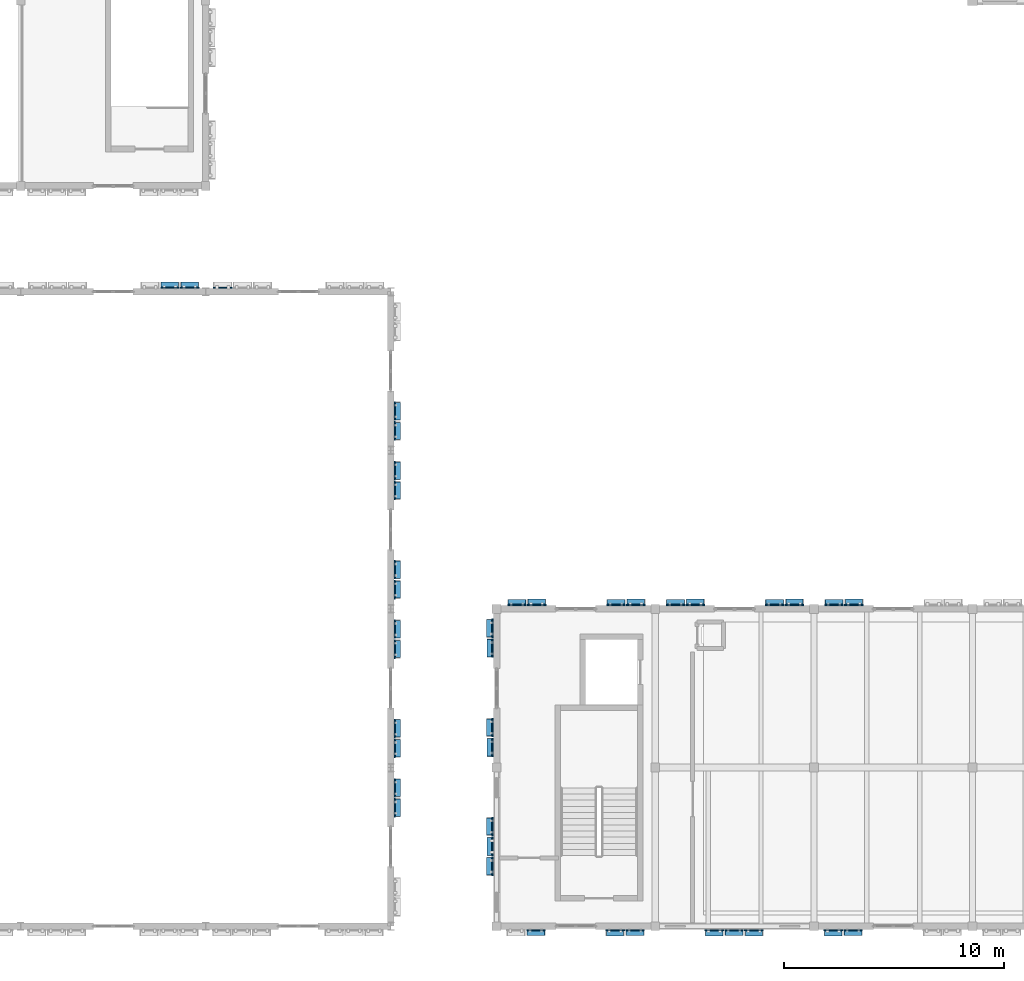
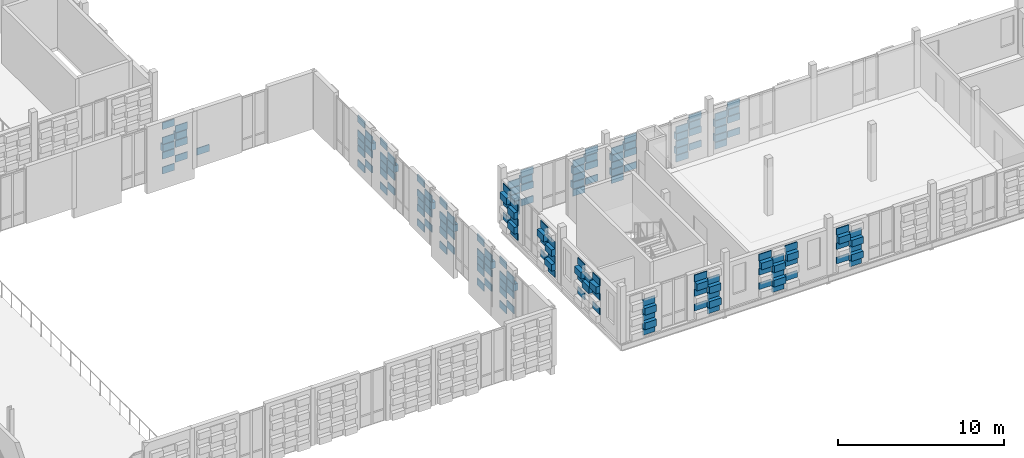
# One storey, part 44 of 81: 173 plates.
"""IFC4 building model written with IfcOpenShell, lengths in metres."""

from ifc_helpers import new_model, si_unit, direction, frame, origin, origin_2d, place, context, subcontext, project, spatial, rectangle, extrude, material, layer, layer_set, type_object, element, save


model = new_model("IFC4")

# Units and contexts
model_context = context("Model", 3, precision=1e-05, world=origin(), true_north=direction((0.0, 1.0)))
body_context = subcontext(model_context, "Body", "Model", "MODEL_VIEW")
ifc_project = project(units=[si_unit("LENGTHUNIT", "METRE"), si_unit("AREAUNIT", "SQUARE_METRE"), si_unit("VOLUMEUNIT", "CUBIC_METRE"), si_unit("PLANEANGLEUNIT", "RADIAN"), si_unit("MASSUNIT", "GRAM", prefix="KILO")], contexts=[model_context])

# Site, building, storey
site_placement = place(None, origin())
site = spatial("IfcSite", under=ifc_project, at=site_placement, CompositionType="ELEMENT")
building_placement = place(site_placement, origin())
building = spatial("IfcBuilding", under=site, at=building_placement, Name="Kahlenmark Community Centre", CompositionType="ELEMENT")
storey_placement = place(building_placement, frame((0.0, 0.0, 9.60009765625)))
storey = spatial("IfcBuildingStorey", under=building, at=storey_placement, Name="L02", CompositionType="ELEMENT", Elevation=9.60009765625)

# Plates
ifc_material_1 = material(Name="Extruded warm terracotta recessed weave tile", Category="masonry")
ifc_layer_1 = layer(ifc_material_1, 0.06005859375)
ifc_layer_set_1 = layer_set([ifc_layer_1], Name="Extruded warm terracotta recessed weave tile")
plate_type_1 = type_object("IfcPlateType", Name="PLT-TC-TC-R10-840X60X488", PredefinedType="SHEET", material=ifc_layer_set_1)
for number, where, z_axis, x_axis, name in (
    (1, (61.580078125, 8.6201171875, 0.10009765625), (0.0, 0.0, 1.0), (1.0, 0.0, 0.0), "Basketweave terracotta cassette 2791"),
    (2, (61.580078125, 8.6201171875, 1.15576171875), (0.0, 0.0, 1.0), (1.0, 0.0, 0.0), "Basketweave terracotta cassette 2793"),
    (3, (61.580078125, 8.6201171875, 2.2119140625), (0.0, 0.0, 1.0), (1.0, 0.0, 0.0), "Basketweave terracotta cassette 2795"),
    (4, (66.97998046875, 8.6201171875, 0.10009765625), (0.0, 0.0, 1.0), (1.0, 0.0, 0.0), "Basketweave terracotta cassette 2809"),
    (5, (66.97998046875, 8.6201171875, 1.15576171875), (0.0, 0.0, 1.0), (1.0, 0.0, 0.0), "Basketweave terracotta cassette 2811"),
    (6, (66.97998046875, 8.6201171875, 2.2119140625), (0.0, 0.0, 1.0), (1.0, 0.0, 0.0), "Basketweave terracotta cassette 2813"),
    (7, (63.419921875, 23.3798828125, 0.10009765625), (0.0, 0.0, 1.0), (-1.0, 0.0, 0.0), "Basketweave terracotta cassette 2899"),
    (8, (63.419921875, 23.3798828125, 1.15576171875), (0.0, 0.0, 1.0), (-1.0, 0.0, 0.0), "Basketweave terracotta cassette 2901"),
    (9, (63.419921875, 23.3798828125, 2.2119140625), (0.0, 0.0, 1.0), (-1.0, 0.0, 0.0), "Basketweave terracotta cassette 2903"),
    (10, (58.919921875, 23.3798828125, 0.10009765625), (0.0, 0.0, 1.0), (-1.0, 0.0, 0.0), "Basketweave terracotta cassette 2911"),
    (11, (58.919921875, 23.3798828125, 1.15576171875), (0.0, 0.0, 1.0), (-1.0, 0.0, 0.0), "Basketweave terracotta cassette 2913"),
    (12, (58.919921875, 23.3798828125, 2.2119140625), (0.0, 0.0, 1.0), (-1.0, 0.0, 0.0), "Basketweave terracotta cassette 2915"),
    (13, (66.1201171875, 23.3798828125, 0.10009765625), (0.0, 0.0, 1.0), (-1.0, 0.0, 0.0), "Basketweave terracotta cassette 2935"),
    (14, (66.1201171875, 23.3798828125, 1.15576171875), (0.0, 0.0, 1.0), (-1.0, 0.0, 0.0), "Basketweave terracotta cassette 2937"),
    (15, (66.1201171875, 23.3798828125, 2.2119140625), (0.0, 0.0, 1.0), (-1.0, 0.0, 0.0), "Basketweave terracotta cassette 2939"),
):
    element("IfcPlate", number, at=place(storey_placement, frame(where, z_axis=z_axis, x_axis=x_axis)), inside=storey, type_object=plate_type_1, Name=name, PredefinedType="SHEET", context=body_context, shape_type="SweptSolid", body=[
        extrude(rectangle(XDim=0.840087890625, YDim=0.06005859375, at=origin_2d()), origin(), (0.0, 0.0, 1.0), 0.488037109375),
    ])
ifc_layer_2 = layer(ifc_material_1, 0.06005859375)
ifc_layer_set_2 = layer_set([ifc_layer_2], Name="Extruded warm terracotta recessed weave tile")
plate_type_2 = type_object("IfcPlateType", Name="PLT-TC-TC-R10-840X60X495", PredefinedType="SHEET", material=ifc_layer_set_2)
for number, where, z_axis, x_axis, name in (
    (16, (52.580078125, 8.6201171875, 0.099853515625), (0.0, 0.0, 1.0), (1.0, 0.0, 0.0), "Basketweave terracotta cassette 2767"),
    (17, (52.580078125, 8.6201171875, 1.169921875), (0.0, 0.0, 1.0), (1.0, 0.0, 0.0), "Basketweave terracotta cassette 2769"),
    (18, (52.580078125, 8.6201171875, 2.23974609375), (0.0, 0.0, 1.0), (1.0, 0.0, 0.0), "Basketweave terracotta cassette 2771"),
    (19, (57.080078125, 8.6201171875, 0.099853515625), (0.0, 0.0, 1.0), (1.0, 0.0, 0.0), "Basketweave terracotta cassette 2779"),
    (20, (57.080078125, 8.6201171875, 1.169921875), (0.0, 0.0, 1.0), (1.0, 0.0, 0.0), "Basketweave terracotta cassette 2781"),
    (21, (57.080078125, 8.6201171875, 2.23974609375), (0.0, 0.0, 1.0), (1.0, 0.0, 0.0), "Basketweave terracotta cassette 2783"),
    (22, (56.219970703125, 23.3798828125, 0.099853515625), (0.0, 0.0, 1.0), (-1.0, 0.0, 0.0), "Basketweave terracotta cassette 2875"),
    (23, (56.219970703125, 23.3798828125, 1.169921875), (0.0, 0.0, 1.0), (-1.0, 0.0, 0.0), "Basketweave terracotta cassette 2877"),
    (24, (56.219970703125, 23.3798828125, 2.23974609375), (0.0, 0.0, 1.0), (-1.0, 0.0, 0.0), "Basketweave terracotta cassette 2879"),
    (25, (51.719970703125, 23.3798828125, 0.099853515625), (0.0, 0.0, 1.0), (-1.0, 0.0, 0.0), "Basketweave terracotta cassette 2887"),
    (26, (51.719970703125, 23.3798828125, 1.169921875), (0.0, 0.0, 1.0), (-1.0, 0.0, 0.0), "Basketweave terracotta cassette 2889"),
    (27, (51.719970703125, 23.3798828125, 2.23974609375), (0.0, 0.0, 1.0), (-1.0, 0.0, 0.0), "Basketweave terracotta cassette 2891"),
    (28, (50.6201171875, 12.419921875, 2.23974609375), (0.0, 0.0, 1.0), (0.0, -1.0, 0.0), "Basketweave terracotta cassette 2993"),
    (29, (50.6201171875, 21.419921875, 0.099853515625), (0.0, 0.0, 1.0), (0.0, -1.0, 0.0), "Basketweave terracotta cassette 3007"),
    (30, (50.6201171875, 21.419921875, 1.169921875), (0.0, 0.0, 1.0), (0.0, -1.0, 0.0), "Basketweave terracotta cassette 3009"),
    (31, (50.6201171875, 21.419921875, 2.23974609375), (0.0, 0.0, 1.0), (0.0, -1.0, 0.0), "Basketweave terracotta cassette 3011"),
    (32, (50.6201171875, 16.919921875, 0.099853515625), (0.0, 0.0, 1.0), (0.0, -1.0, 0.0), "Basketweave terracotta cassette 3019"),
    (33, (50.6201171875, 16.919921875, 1.169921875), (0.0, 0.0, 1.0), (0.0, -1.0, 0.0), "Basketweave terracotta cassette 3021"),
    (34, (50.6201171875, 16.919921875, 2.23974609375), (0.0, 0.0, 1.0), (0.0, -1.0, 0.0), "Basketweave terracotta cassette 3023"),
):
    element("IfcPlate", number, at=place(storey_placement, frame(where, z_axis=z_axis, x_axis=x_axis)), inside=storey, type_object=plate_type_2, Name=name, PredefinedType="SHEET", context=body_context, shape_type="SweptSolid", body=[
        extrude(rectangle(XDim=0.840087890625, YDim=0.06005859375, at=origin_2d()), origin(), (0.0, 0.0, 1.0), 0.4951171875),
    ])
ifc_layer_3 = layer(ifc_material_1, 0.06005859375)
ifc_layer_set_3 = layer_set([ifc_layer_3], Name="Extruded warm terracotta recessed weave tile")
plate_type_3 = type_object("IfcPlateType", Name="PLT-TC-TC-R10-840X60X506", PredefinedType="SHEET", material=ifc_layer_set_3)
for number, where, z_axis, x_axis, name in (
    (35, (35.969970703125, 37.780029296875, 0.099609375), (0.0, 0.0, 1.0), (-1.0, 0.0, 0.0), "Basketweave terracotta cassette 2092"),
    (36, (35.969970703125, 37.780029296875, 1.19189453125), (0.0, 0.0, 1.0), (-1.0, 0.0, 0.0), "Basketweave terracotta cassette 2094"),
    (37, (35.969970703125, 37.780029296875, 2.28369140625), (0.0, 0.0, 1.0), (-1.0, 0.0, 0.0), "Basketweave terracotta cassette 2096"),
    (38, (35.969970703125, 37.780029296875, 3.3759765625), (0.0, 0.0, 1.0), (-1.0, 0.0, 0.0), "Basketweave terracotta cassette 2098"),
    (39, (46.179931640625, 15.080078125, 0.099609375), (0.0, 0.0, 1.0), (0.0, 1.0, 0.0), "Basketweave terracotta cassette 2226"),
    (40, (46.179931640625, 15.080078125, 1.19189453125), (0.0, 0.0, 1.0), (0.0, 1.0, 0.0), "Basketweave terracotta cassette 2228"),
    (41, (46.179931640625, 15.080078125, 2.28369140625), (0.0, 0.0, 1.0), (0.0, 1.0, 0.0), "Basketweave terracotta cassette 2230"),
    (42, (46.179931640625, 15.080078125, 3.3759765625), (0.0, 0.0, 1.0), (0.0, 1.0, 0.0), "Basketweave terracotta cassette 2232"),
    (43, (46.179931640625, 17.780029296875, 0.099609375), (0.0, 0.0, 1.0), (0.0, 1.0, 0.0), "Basketweave terracotta cassette 2240"),
    (44, (46.179931640625, 17.780029296875, 1.19189453125), (0.0, 0.0, 1.0), (0.0, 1.0, 0.0), "Basketweave terracotta cassette 2242"),
    (45, (46.179931640625, 17.780029296875, 2.28369140625), (0.0, 0.0, 1.0), (0.0, 1.0, 0.0), "Basketweave terracotta cassette 2244"),
    (46, (46.179931640625, 17.780029296875, 3.3759765625), (0.0, 0.0, 1.0), (0.0, 1.0, 0.0), "Basketweave terracotta cassette 2246"),
    (47, (46.179931640625, 22.280029296875, 0.099609375), (0.0, 0.0, 1.0), (0.0, 1.0, 0.0), "Basketweave terracotta cassette 2254"),
    (48, (46.179931640625, 22.280029296875, 1.19189453125), (0.0, 0.0, 1.0), (0.0, 1.0, 0.0), "Basketweave terracotta cassette 2256"),
    (49, (46.179931640625, 22.280029296875, 2.28369140625), (0.0, 0.0, 1.0), (0.0, 1.0, 0.0), "Basketweave terracotta cassette 2258"),
    (50, (46.179931640625, 22.280029296875, 3.3759765625), (0.0, 0.0, 1.0), (0.0, 1.0, 0.0), "Basketweave terracotta cassette 2260"),
    (51, (46.179931640625, 24.97998046875, 0.099609375), (0.0, 0.0, 1.0), (0.0, 1.0, 0.0), "Basketweave terracotta cassette 2268"),
    (52, (46.179931640625, 24.97998046875, 1.19189453125), (0.0, 0.0, 1.0), (0.0, 1.0, 0.0), "Basketweave terracotta cassette 2270"),
    (53, (46.179931640625, 24.97998046875, 2.28369140625), (0.0, 0.0, 1.0), (0.0, 1.0, 0.0), "Basketweave terracotta cassette 2272"),
    (54, (46.179931640625, 24.97998046875, 3.3759765625), (0.0, 0.0, 1.0), (0.0, 1.0, 0.0), "Basketweave terracotta cassette 2274"),
    (55, (46.179931640625, 29.47998046875, 0.099609375), (0.0, 0.0, 1.0), (0.0, 1.0, 0.0), "Basketweave terracotta cassette 2282"),
    (56, (46.179931640625, 29.47998046875, 1.19189453125), (0.0, 0.0, 1.0), (0.0, 1.0, 0.0), "Basketweave terracotta cassette 2284"),
    (57, (46.179931640625, 29.47998046875, 2.28369140625), (0.0, 0.0, 1.0), (0.0, 1.0, 0.0), "Basketweave terracotta cassette 2286"),
    (58, (46.179931640625, 29.47998046875, 3.3759765625), (0.0, 0.0, 1.0), (0.0, 1.0, 0.0), "Basketweave terracotta cassette 2288"),
    (59, (46.179931640625, 32.179931640625, 0.099609375), (0.0, 0.0, 1.0), (0.0, 1.0, 0.0), "Basketweave terracotta cassette 2296"),
    (60, (46.179931640625, 32.179931640625, 1.19189453125), (0.0, 0.0, 1.0), (0.0, 1.0, 0.0), "Basketweave terracotta cassette 2298"),
    (61, (46.179931640625, 32.179931640625, 2.28369140625), (0.0, 0.0, 1.0), (0.0, 1.0, 0.0), "Basketweave terracotta cassette 2300"),
    (62, (46.179931640625, 32.179931640625, 3.3759765625), (0.0, 0.0, 1.0), (0.0, 1.0, 0.0), "Basketweave terracotta cassette 2302"),
):
    element("IfcPlate", number, at=place(storey_placement, frame(where, z_axis=z_axis, x_axis=x_axis)), inside=storey, type_object=plate_type_3, Name=name, PredefinedType="SHEET", context=body_context, shape_type="SweptSolid", body=[
        extrude(rectangle(XDim=0.840087890625, YDim=0.06005859375, at=origin_2d()), origin(), (0.0, 0.0, 1.0), 0.506103515625),
    ])
ifc_layer_4 = layer(ifc_material_1, 0.06005859375)
ifc_layer_set_4 = layer_set([ifc_layer_4], Name="Extruded warm terracotta recessed weave tile")
plate_type_4 = type_object("IfcPlateType", Name="PLT-TC-TC-R10-860X60X488", PredefinedType="SHEET", material=ifc_layer_set_4)
for number, where, z_axis, x_axis, name in (
    (63, (60.679931640625, 8.6201171875, 0.6279296875), (0.0, 0.0, 1.0), (1.0, 0.0, 0.0), "Basketweave terracotta cassette 2786"),
    (64, (60.679931640625, 8.6201171875, 1.68408203125), (0.0, 0.0, 1.0), (1.0, 0.0, 0.0), "Basketweave terracotta cassette 2788"),
    (65, (60.679931640625, 8.6201171875, 2.73974609375), (0.0, 0.0, 1.0), (1.0, 0.0, 0.0), "Basketweave terracotta cassette 2790"),
    (66, (62.47998046875, 8.6201171875, 0.6279296875), (0.0, 0.0, 1.0), (1.0, 0.0, 0.0), "Basketweave terracotta cassette 2798"),
    (67, (62.47998046875, 8.6201171875, 1.68408203125), (0.0, 0.0, 1.0), (1.0, 0.0, 0.0), "Basketweave terracotta cassette 2800"),
    (68, (62.47998046875, 8.6201171875, 2.73974609375), (0.0, 0.0, 1.0), (1.0, 0.0, 0.0), "Basketweave terracotta cassette 2802"),
    (69, (66.080078125, 8.6201171875, 0.6279296875), (0.0, 0.0, 1.0), (1.0, 0.0, 0.0), "Basketweave terracotta cassette 2804"),
    (70, (66.080078125, 8.6201171875, 1.68408203125), (0.0, 0.0, 1.0), (1.0, 0.0, 0.0), "Basketweave terracotta cassette 2806"),
    (71, (66.080078125, 8.6201171875, 2.73974609375), (0.0, 0.0, 1.0), (1.0, 0.0, 0.0), "Basketweave terracotta cassette 2808"),
    (72, (64.320068359375, 23.3798828125, 0.6279296875), (0.0, 0.0, 1.0), (-1.0, 0.0, 0.0), "Basketweave terracotta cassette 2894"),
    (73, (64.320068359375, 23.3798828125, 1.68408203125), (0.0, 0.0, 1.0), (-1.0, 0.0, 0.0), "Basketweave terracotta cassette 2896"),
    (74, (64.320068359375, 23.3798828125, 2.73974609375), (0.0, 0.0, 1.0), (-1.0, 0.0, 0.0), "Basketweave terracotta cassette 2898"),
    (75, (59.820068359375, 23.3798828125, 0.6279296875), (0.0, 0.0, 1.0), (-1.0, 0.0, 0.0), "Basketweave terracotta cassette 2906"),
    (76, (59.820068359375, 23.3798828125, 1.68408203125), (0.0, 0.0, 1.0), (-1.0, 0.0, 0.0), "Basketweave terracotta cassette 2908"),
    (77, (59.820068359375, 23.3798828125, 2.73974609375), (0.0, 0.0, 1.0), (-1.0, 0.0, 0.0), "Basketweave terracotta cassette 2910"),
    (78, (67.02001953125, 23.3798828125, 0.6279296875), (0.0, 0.0, 1.0), (-1.0, 0.0, 0.0), "Basketweave terracotta cassette 2930"),
    (79, (67.02001953125, 23.3798828125, 1.68408203125), (0.0, 0.0, 1.0), (-1.0, 0.0, 0.0), "Basketweave terracotta cassette 2932"),
    (80, (67.02001953125, 23.3798828125, 2.73974609375), (0.0, 0.0, 1.0), (-1.0, 0.0, 0.0), "Basketweave terracotta cassette 2934"),
):
    element("IfcPlate", number, at=place(storey_placement, frame(where, z_axis=z_axis, x_axis=x_axis)), inside=storey, type_object=plate_type_4, Name=name, PredefinedType="SHEET", context=body_context, shape_type="SweptSolid", body=[
        extrude(rectangle(XDim=0.860107421875, YDim=0.06005859375, at=origin_2d()), origin(), (0.0, 0.0, 1.0), 0.488037109375),
    ])
ifc_layer_5 = layer(ifc_material_1, 0.06005859375)
ifc_layer_set_5 = layer_set([ifc_layer_5], Name="Extruded warm terracotta recessed weave tile")
plate_type_5 = type_object("IfcPlateType", Name="PLT-TC-TC-R10-860X60X495", PredefinedType="SHEET", material=ifc_layer_set_5)
for number, where, z_axis, x_axis, name in (
    (81, (56.179931640625, 8.6201171875, 0.634765625), (0.0, 0.0, 1.0), (1.0, 0.0, 0.0), "Basketweave terracotta cassette 2774"),
    (82, (56.179931640625, 8.6201171875, 1.704833984375), (0.0, 0.0, 1.0), (1.0, 0.0, 0.0), "Basketweave terracotta cassette 2776"),
    (83, (56.179931640625, 8.6201171875, 2.77490234375), (0.0, 0.0, 1.0), (1.0, 0.0, 0.0), "Basketweave terracotta cassette 2778"),
    (84, (57.1201171875, 23.3798828125, 0.634765625), (0.0, 0.0, 1.0), (-1.0, 0.0, 0.0), "Basketweave terracotta cassette 2870"),
    (85, (57.1201171875, 23.3798828125, 1.704833984375), (0.0, 0.0, 1.0), (-1.0, 0.0, 0.0), "Basketweave terracotta cassette 2872"),
    (86, (57.1201171875, 23.3798828125, 2.77490234375), (0.0, 0.0, 1.0), (-1.0, 0.0, 0.0), "Basketweave terracotta cassette 2874"),
    (87, (52.6201171875, 23.3798828125, 0.634765625), (0.0, 0.0, 1.0), (-1.0, 0.0, 0.0), "Basketweave terracotta cassette 2882"),
    (88, (52.6201171875, 23.3798828125, 1.704833984375), (0.0, 0.0, 1.0), (-1.0, 0.0, 0.0), "Basketweave terracotta cassette 2884"),
    (89, (52.6201171875, 23.3798828125, 2.77490234375), (0.0, 0.0, 1.0), (-1.0, 0.0, 0.0), "Basketweave terracotta cassette 2886"),
    (90, (50.6201171875, 13.320068359375, 0.634765625), (0.0, 0.0, 1.0), (0.0, -1.0, 0.0), "Basketweave terracotta cassette 2984"),
    (91, (50.6201171875, 13.320068359375, 1.704833984375), (0.0, 0.0, 1.0), (0.0, -1.0, 0.0), "Basketweave terracotta cassette 2986"),
    (92, (50.6201171875, 13.320068359375, 2.77490234375), (0.0, 0.0, 1.0), (0.0, -1.0, 0.0), "Basketweave terracotta cassette 2988"),
    (93, (50.6201171875, 11.52001953125, 0.634765625), (0.0, 0.0, 1.0), (0.0, -1.0, 0.0), "Basketweave terracotta cassette 2996"),
    (94, (50.6201171875, 11.52001953125, 1.704833984375), (0.0, 0.0, 1.0), (0.0, -1.0, 0.0), "Basketweave terracotta cassette 2998"),
    (95, (50.6201171875, 11.52001953125, 2.77490234375), (0.0, 0.0, 1.0), (0.0, -1.0, 0.0), "Basketweave terracotta cassette 3000"),
    (96, (50.6201171875, 22.320068359375, 0.634765625), (0.0, 0.0, 1.0), (0.0, -1.0, 0.0), "Basketweave terracotta cassette 3002"),
    (97, (50.6201171875, 22.320068359375, 1.704833984375), (0.0, 0.0, 1.0), (0.0, -1.0, 0.0), "Basketweave terracotta cassette 3004"),
    (98, (50.6201171875, 22.320068359375, 2.77490234375), (0.0, 0.0, 1.0), (0.0, -1.0, 0.0), "Basketweave terracotta cassette 3006"),
    (99, (50.6201171875, 17.820068359375, 0.634765625), (0.0, 0.0, 1.0), (0.0, -1.0, 0.0), "Basketweave terracotta cassette 3014"),
    (100, (50.6201171875, 17.820068359375, 1.704833984375), (0.0, 0.0, 1.0), (0.0, -1.0, 0.0), "Basketweave terracotta cassette 3016"),
    (101, (50.6201171875, 17.820068359375, 2.77490234375), (0.0, 0.0, 1.0), (0.0, -1.0, 0.0), "Basketweave terracotta cassette 3018"),
):
    element("IfcPlate", number, at=place(storey_placement, frame(where, z_axis=z_axis, x_axis=x_axis)), inside=storey, type_object=plate_type_5, Name=name, PredefinedType="SHEET", context=body_context, shape_type="SweptSolid", body=[
        extrude(rectangle(XDim=0.860107421875, YDim=0.06005859375, at=origin_2d()), origin(), (0.0, 0.0, 1.0), 0.4951171875),
    ])
ifc_layer_6 = layer(ifc_material_1, 0.06005859375)
ifc_layer_set_6 = layer_set([ifc_layer_6], Name="Extruded warm terracotta recessed weave tile")
plate_type_6 = type_object("IfcPlateType", Name="PLT-TC-TC-R10-860X60X506", PredefinedType="SHEET", material=ifc_layer_set_6)
for number, where, z_axis, x_axis, name in (
    (102, (36.8701171875, 37.780029296875, 0.64599609375), (0.0, 0.0, 1.0), (-1.0, 0.0, 0.0), "Basketweave terracotta cassette 2086"),
    (103, (36.8701171875, 37.780029296875, 1.73779296875), (0.0, 0.0, 1.0), (-1.0, 0.0, 0.0), "Basketweave terracotta cassette 2088"),
    (104, (36.8701171875, 37.780029296875, 2.830078125), (0.0, 0.0, 1.0), (-1.0, 0.0, 0.0), "Basketweave terracotta cassette 2090"),
    (105, (38.3701171875, 37.780029296875, 0.64599609375), (0.0, 0.0, 1.0), (-1.0, 0.0, 0.0), "Basketweave terracotta cassette 2163"),
    (106, (46.179931640625, 14.179931640625, 0.64599609375), (0.0, 0.0, 1.0), (0.0, 1.0, 0.0), "Basketweave terracotta cassette 2220"),
    (107, (46.179931640625, 14.179931640625, 1.73779296875), (0.0, 0.0, 1.0), (0.0, 1.0, 0.0), "Basketweave terracotta cassette 2222"),
    (108, (46.179931640625, 14.179931640625, 2.830078125), (0.0, 0.0, 1.0), (0.0, 1.0, 0.0), "Basketweave terracotta cassette 2224"),
    (109, (46.179931640625, 16.8798828125, 0.64599609375), (0.0, 0.0, 1.0), (0.0, 1.0, 0.0), "Basketweave terracotta cassette 2234"),
    (110, (46.179931640625, 16.8798828125, 1.73779296875), (0.0, 0.0, 1.0), (0.0, 1.0, 0.0), "Basketweave terracotta cassette 2236"),
    (111, (46.179931640625, 16.8798828125, 2.830078125), (0.0, 0.0, 1.0), (0.0, 1.0, 0.0), "Basketweave terracotta cassette 2238"),
    (112, (46.179931640625, 21.3798828125, 0.64599609375), (0.0, 0.0, 1.0), (0.0, 1.0, 0.0), "Basketweave terracotta cassette 2248"),
    (113, (46.179931640625, 21.3798828125, 1.73779296875), (0.0, 0.0, 1.0), (0.0, 1.0, 0.0), "Basketweave terracotta cassette 2250"),
    (114, (46.179931640625, 21.3798828125, 2.830078125), (0.0, 0.0, 1.0), (0.0, 1.0, 0.0), "Basketweave terracotta cassette 2252"),
    (115, (46.179931640625, 24.080078125, 0.64599609375), (0.0, 0.0, 1.0), (0.0, 1.0, 0.0), "Basketweave terracotta cassette 2262"),
    (116, (46.179931640625, 24.080078125, 1.73779296875), (0.0, 0.0, 1.0), (0.0, 1.0, 0.0), "Basketweave terracotta cassette 2264"),
    (117, (46.179931640625, 24.080078125, 2.830078125), (0.0, 0.0, 1.0), (0.0, 1.0, 0.0), "Basketweave terracotta cassette 2266"),
    (118, (46.179931640625, 28.580078125, 0.64599609375), (0.0, 0.0, 1.0), (0.0, 1.0, 0.0), "Basketweave terracotta cassette 2276"),
    (119, (46.179931640625, 28.580078125, 1.73779296875), (0.0, 0.0, 1.0), (0.0, 1.0, 0.0), "Basketweave terracotta cassette 2278"),
    (120, (46.179931640625, 28.580078125, 2.830078125), (0.0, 0.0, 1.0), (0.0, 1.0, 0.0), "Basketweave terracotta cassette 2280"),
    (121, (46.179931640625, 31.280029296875, 0.64599609375), (0.0, 0.0, 1.0), (0.0, 1.0, 0.0), "Basketweave terracotta cassette 2290"),
    (122, (46.179931640625, 31.280029296875, 1.73779296875), (0.0, 0.0, 1.0), (0.0, 1.0, 0.0), "Basketweave terracotta cassette 2292"),
    (123, (46.179931640625, 31.280029296875, 2.830078125), (0.0, 0.0, 1.0), (0.0, 1.0, 0.0), "Basketweave terracotta cassette 2294"),
):
    element("IfcPlate", number, at=place(storey_placement, frame(where, z_axis=z_axis, x_axis=x_axis)), inside=storey, type_object=plate_type_6, Name=name, PredefinedType="SHEET", context=body_context, shape_type="SweptSolid", body=[
        extrude(rectangle(XDim=0.860107421875, YDim=0.06005859375, at=origin_2d()), origin(), (0.0, 0.0, 1.0), 0.506103515625),
    ])
ifc_material_2 = material(Name="Extruded glazed terracotta weave cassette", Category="masonry")
ifc_layer_7 = layer(ifc_material_2, 0.300048828125)
ifc_layer_set_7 = layer_set([ifc_layer_7], Name="Extruded glazed terracotta weave cassette")
plate_type_7 = type_object("IfcPlateType", Name="PLT-TC-TC-R34-780X300X488", PredefinedType="SHEET", material=ifc_layer_set_7)
for number, where, z_axis, x_axis, name in (
    (124, (60.679931640625, 8.5, 2.2119140625), (0.0, 0.0, 1.0), (1.0, 0.0, 0.0), "Basketweave terracotta cassette 2789"),
    (125, (62.47998046875, 8.5, 2.2119140625), (0.0, 0.0, 1.0), (1.0, 0.0, 0.0), "Basketweave terracotta cassette 2801"),
    (126, (66.080078125, 8.5, 2.2119140625), (0.0, 0.0, 1.0), (1.0, 0.0, 0.0), "Basketweave terracotta cassette 2807"),
    (127, (64.320068359375, 23.5, 2.2119140625), (0.0, 0.0, 1.0), (-1.0, 0.0, 0.0), "Basketweave terracotta cassette 2897"),
    (128, (59.820068359375, 23.5, 2.2119140625), (0.0, 0.0, 1.0), (-1.0, 0.0, 0.0), "Basketweave terracotta cassette 2909"),
    (129, (67.02001953125, 23.5, 2.2119140625), (0.0, 0.0, 1.0), (-1.0, 0.0, 0.0), "Basketweave terracotta cassette 2933"),
):
    element("IfcPlate", number, at=place(storey_placement, frame(where, z_axis=z_axis, x_axis=x_axis)), inside=storey, type_object=plate_type_7, Name=name, PredefinedType="SHEET", context=body_context, shape_type="SweptSolid", body=[
        extrude(rectangle(XDim=0.780029296875, YDim=0.300048828125, at=origin_2d()), origin(), (0.0, 0.0, 1.0), 0.488037109375),
    ])
ifc_layer_8 = layer(ifc_material_2, 0.300048828125)
ifc_layer_set_8 = layer_set([ifc_layer_8], Name="Extruded glazed terracotta weave cassette")
plate_type_8 = type_object("IfcPlateType", Name="PLT-TC-TC-R34-780X300X495", PredefinedType="SHEET", material=ifc_layer_set_8)
for number, where, z_axis, x_axis, name in (
    (130, (56.179931640625, 8.5, 2.23974609375), (0.0, 0.0, 1.0), (1.0, 0.0, 0.0), "Basketweave terracotta cassette 2777"),
    (131, (57.1201171875, 23.5, 2.23974609375), (0.0, 0.0, 1.0), (-1.0, 0.0, 0.0), "Basketweave terracotta cassette 2873"),
    (132, (52.6201171875, 23.5, 2.23974609375), (0.0, 0.0, 1.0), (-1.0, 0.0, 0.0), "Basketweave terracotta cassette 2885"),
    (133, (50.5, 13.320068359375, 2.23974609375), (0.0, 0.0, 1.0), (0.0, -1.0, 0.0), "Basketweave terracotta cassette 2987"),
    (134, (50.5, 11.52001953125, 2.23974609375), (0.0, 0.0, 1.0), (0.0, -1.0, 0.0), "Basketweave terracotta cassette 2999"),
    (135, (50.5, 22.320068359375, 2.23974609375), (0.0, 0.0, 1.0), (0.0, -1.0, 0.0), "Basketweave terracotta cassette 3005"),
    (136, (50.5, 17.820068359375, 2.23974609375), (0.0, 0.0, 1.0), (0.0, -1.0, 0.0), "Basketweave terracotta cassette 3017"),
):
    element("IfcPlate", number, at=place(storey_placement, frame(where, z_axis=z_axis, x_axis=x_axis)), inside=storey, type_object=plate_type_8, Name=name, PredefinedType="SHEET", context=body_context, shape_type="SweptSolid", body=[
        extrude(rectangle(XDim=0.780029296875, YDim=0.300048828125, at=origin_2d()), origin(), (0.0, 0.0, 1.0), 0.4951171875),
    ])
ifc_layer_9 = layer(ifc_material_2, 0.300048828125)
ifc_layer_set_9 = layer_set([ifc_layer_9], Name="Extruded glazed terracotta weave cassette")
plate_type_9 = type_object("IfcPlateType", Name="PLT-TC-TC-R34-780X300X506", PredefinedType="SHEET", material=ifc_layer_set_9)
for number, where, z_axis, x_axis, name in (
    (137, (36.8701171875, 37.89990234375, 2.28369140625), (0.0, 0.0, 1.0), (-1.0, 0.0, 0.0), "Basketweave terracotta cassette 2089"),
    (138, (46.300048828125, 14.179931640625, 2.28369140625), (0.0, 0.0, 1.0), (0.0, 1.0, 0.0), "Basketweave terracotta cassette 2223"),
    (139, (46.300048828125, 16.8798828125, 2.28369140625), (0.0, 0.0, 1.0), (0.0, 1.0, 0.0), "Basketweave terracotta cassette 2237"),
    (140, (46.300048828125, 21.3798828125, 2.28369140625), (0.0, 0.0, 1.0), (0.0, 1.0, 0.0), "Basketweave terracotta cassette 2251"),
    (141, (46.300048828125, 24.080078125, 2.28369140625), (0.0, 0.0, 1.0), (0.0, 1.0, 0.0), "Basketweave terracotta cassette 2265"),
    (142, (46.300048828125, 28.580078125, 2.28369140625), (0.0, 0.0, 1.0), (0.0, 1.0, 0.0), "Basketweave terracotta cassette 2279"),
    (143, (46.300048828125, 31.280029296875, 2.28369140625), (0.0, 0.0, 1.0), (0.0, 1.0, 0.0), "Basketweave terracotta cassette 2293"),
):
    element("IfcPlate", number, at=place(storey_placement, frame(where, z_axis=z_axis, x_axis=x_axis)), inside=storey, type_object=plate_type_9, Name=name, PredefinedType="SHEET", context=body_context, shape_type="SweptSolid", body=[
        extrude(rectangle(XDim=0.780029296875, YDim=0.300048828125, at=origin_2d()), origin(), (0.0, 0.0, 1.0), 0.506103515625),
    ])
ifc_layer_10 = layer(ifc_material_2, 0.280029296875)
ifc_layer_set_10 = layer_set([ifc_layer_10], Name="Extruded glazed terracotta weave cassette")
plate_type_10 = type_object("IfcPlateType", Name="PLT-TC-TC-W30-800X280X488", PredefinedType="SHEET", material=ifc_layer_set_10)
for number, where, z_axis, x_axis, name in (
    (144, (61.580078125, 8.510009765625, 1.68408203125), (0.0, 0.0, 1.0), (1.0, 0.0, 0.0), "Basketweave terracotta cassette 2794"),
    (145, (66.97998046875, 8.510009765625, 1.68408203125), (0.0, 0.0, 1.0), (1.0, 0.0, 0.0), "Basketweave terracotta cassette 2812"),
    (146, (63.419921875, 23.489990234375, 1.68408203125), (0.0, 0.0, 1.0), (-1.0, 0.0, 0.0), "Basketweave terracotta cassette 2902"),
    (147, (58.919921875, 23.489990234375, 1.68408203125), (0.0, 0.0, 1.0), (-1.0, 0.0, 0.0), "Basketweave terracotta cassette 2914"),
    (148, (66.1201171875, 23.489990234375, 1.68408203125), (0.0, 0.0, 1.0), (-1.0, 0.0, 0.0), "Basketweave terracotta cassette 2938"),
):
    element("IfcPlate", number, at=place(storey_placement, frame(where, z_axis=z_axis, x_axis=x_axis)), inside=storey, type_object=plate_type_10, Name=name, PredefinedType="SHEET", context=body_context, shape_type="SweptSolid", body=[
        extrude(rectangle(XDim=0.800048828125, YDim=0.280029296875, at=origin_2d()), origin(), (0.0, 0.0, 1.0), 0.488037109375),
    ])
ifc_layer_11 = layer(ifc_material_2, 0.280029296875)
ifc_layer_set_11 = layer_set([ifc_layer_11], Name="Extruded glazed terracotta weave cassette")
plate_type_11 = type_object("IfcPlateType", Name="PLT-TC-TC-W30-800X280X495", PredefinedType="SHEET", material=ifc_layer_set_11)
for number, where, z_axis, x_axis, name in (
    (149, (52.580078125, 8.510009765625, 1.704833984375), (0.0, 0.0, 1.0), (1.0, 0.0, 0.0), "Basketweave terracotta cassette 2770"),
    (150, (57.080078125, 8.510009765625, 1.704833984375), (0.0, 0.0, 1.0), (1.0, 0.0, 0.0), "Basketweave terracotta cassette 2782"),
    (151, (56.219970703125, 23.489990234375, 1.704833984375), (0.0, 0.0, 1.0), (-1.0, 0.0, 0.0), "Basketweave terracotta cassette 2878"),
    (152, (51.719970703125, 23.489990234375, 1.704833984375), (0.0, 0.0, 1.0), (-1.0, 0.0, 0.0), "Basketweave terracotta cassette 2890"),
    (153, (50.510009765625, 12.419921875, 1.704833984375), (0.0, 0.0, 1.0), (0.0, -1.0, 0.0), "Basketweave terracotta cassette 2992"),
    (154, (50.510009765625, 21.419921875, 1.704833984375), (0.0, 0.0, 1.0), (0.0, -1.0, 0.0), "Basketweave terracotta cassette 3010"),
    (155, (50.510009765625, 16.919921875, 1.704833984375), (0.0, 0.0, 1.0), (0.0, -1.0, 0.0), "Basketweave terracotta cassette 3022"),
):
    element("IfcPlate", number, at=place(storey_placement, frame(where, z_axis=z_axis, x_axis=x_axis)), inside=storey, type_object=plate_type_11, Name=name, PredefinedType="SHEET", context=body_context, shape_type="SweptSolid", body=[
        extrude(rectangle(XDim=0.800048828125, YDim=0.280029296875, at=origin_2d()), origin(), (0.0, 0.0, 1.0), 0.4951171875),
    ])
ifc_layer_12 = layer(ifc_material_2, 0.280029296875)
ifc_layer_set_12 = layer_set([ifc_layer_12], Name="Extruded glazed terracotta weave cassette")
plate_type_12 = type_object("IfcPlateType", Name="PLT-TC-TC-W30-800X280X506", PredefinedType="SHEET", material=ifc_layer_set_12)
for number, where, z_axis, x_axis, name in (
    (156, (35.969970703125, 37.889892578125, 1.73779296875), (0.0, 0.0, 1.0), (-1.0, 0.0, 0.0), "Basketweave terracotta cassette 2095"),
    (157, (46.2900390625, 15.080078125, 1.73779296875), (0.0, 0.0, 1.0), (0.0, 1.0, 0.0), "Basketweave terracotta cassette 2229"),
    (158, (46.2900390625, 17.780029296875, 1.73779296875), (0.0, 0.0, 1.0), (0.0, 1.0, 0.0), "Basketweave terracotta cassette 2243"),
    (159, (46.2900390625, 22.280029296875, 1.73779296875), (0.0, 0.0, 1.0), (0.0, 1.0, 0.0), "Basketweave terracotta cassette 2257"),
    (160, (46.2900390625, 24.97998046875, 1.73779296875), (0.0, 0.0, 1.0), (0.0, 1.0, 0.0), "Basketweave terracotta cassette 2271"),
    (161, (46.2900390625, 29.47998046875, 1.73779296875), (0.0, 0.0, 1.0), (0.0, 1.0, 0.0), "Basketweave terracotta cassette 2285"),
    (162, (46.2900390625, 32.179931640625, 1.73779296875), (0.0, 0.0, 1.0), (0.0, 1.0, 0.0), "Basketweave terracotta cassette 2299"),
):
    element("IfcPlate", number, at=place(storey_placement, frame(where, z_axis=z_axis, x_axis=x_axis)), inside=storey, type_object=plate_type_12, Name=name, PredefinedType="SHEET", context=body_context, shape_type="SweptSolid", body=[
        extrude(rectangle(XDim=0.800048828125, YDim=0.280029296875, at=origin_2d()), origin(), (0.0, 0.0, 1.0), 0.506103515625),
    ])
ifc_layer_13 = layer(ifc_material_2, 0.280029296875)
ifc_layer_set_13 = layer_set([ifc_layer_13], Name="Extruded glazed terracotta weave cassette")
plate_type_13 = type_object("IfcPlateType", Name="PLT-TC-TC-W30-820X280X488", PredefinedType="SHEET", material=ifc_layer_set_13)
for number, where, z_axis, x_axis, name in (
    (163, (61.580078125, 8.510009765625, 0.6279296875), (0.0, 0.0, 1.0), (1.0, 0.0, 0.0), "Basketweave terracotta cassette 2792"),
    (164, (66.97998046875, 8.510009765625, 0.6279296875), (0.0, 0.0, 1.0), (1.0, 0.0, 0.0), "Basketweave terracotta cassette 2810"),
    (165, (63.419921875, 23.489990234375, 0.6279296875), (0.0, 0.0, 1.0), (-1.0, 0.0, 0.0), "Basketweave terracotta cassette 2900"),
    (166, (58.919921875, 23.489990234375, 0.6279296875), (0.0, 0.0, 1.0), (-1.0, 0.0, 0.0), "Basketweave terracotta cassette 2912"),
    (167, (66.1201171875, 23.489990234375, 0.6279296875), (0.0, 0.0, 1.0), (-1.0, 0.0, 0.0), "Basketweave terracotta cassette 2936"),
):
    element("IfcPlate", number, at=place(storey_placement, frame(where, z_axis=z_axis, x_axis=x_axis)), inside=storey, type_object=plate_type_13, Name=name, PredefinedType="SHEET", context=body_context, shape_type="SweptSolid", body=[
        extrude(rectangle(XDim=0.820068359375, YDim=0.280029296875, at=origin_2d()), origin(), (0.0, 0.0, 1.0), 0.488037109375),
    ])
ifc_layer_14 = layer(ifc_material_2, 0.280029296875)
ifc_layer_set_14 = layer_set([ifc_layer_14], Name="Extruded glazed terracotta weave cassette")
plate_type_14 = type_object("IfcPlateType", Name="PLT-TC-TC-W30-820X280X495", PredefinedType="SHEET", material=ifc_layer_set_14)
for number, where, z_axis, x_axis, name in (
    (168, (52.580078125, 8.510009765625, 0.634765625), (0.0, 0.0, 1.0), (1.0, 0.0, 0.0), "Basketweave terracotta cassette 2768"),
    (169, (57.080078125, 8.510009765625, 0.634765625), (0.0, 0.0, 1.0), (1.0, 0.0, 0.0), "Basketweave terracotta cassette 2780"),
    (170, (56.219970703125, 23.489990234375, 0.634765625), (0.0, 0.0, 1.0), (-1.0, 0.0, 0.0), "Basketweave terracotta cassette 2876"),
    (171, (51.719970703125, 23.489990234375, 0.634765625), (0.0, 0.0, 1.0), (-1.0, 0.0, 0.0), "Basketweave terracotta cassette 2888"),
    (172, (50.510009765625, 21.419921875, 0.634765625), (0.0, 0.0, 1.0), (0.0, -1.0, 0.0), "Basketweave terracotta cassette 3008"),
    (173, (50.510009765625, 16.919921875, 0.634765625), (0.0, 0.0, 1.0), (0.0, -1.0, 0.0), "Basketweave terracotta cassette 3020"),
):
    element("IfcPlate", number, at=place(storey_placement, frame(where, z_axis=z_axis, x_axis=x_axis)), inside=storey, type_object=plate_type_14, Name=name, PredefinedType="SHEET", context=body_context, shape_type="SweptSolid", body=[
        extrude(rectangle(XDim=0.820068359375, YDim=0.280029296875, at=origin_2d()), origin(), (0.0, 0.0, 1.0), 0.4951171875),
    ])

save(model, "model.ifc")
